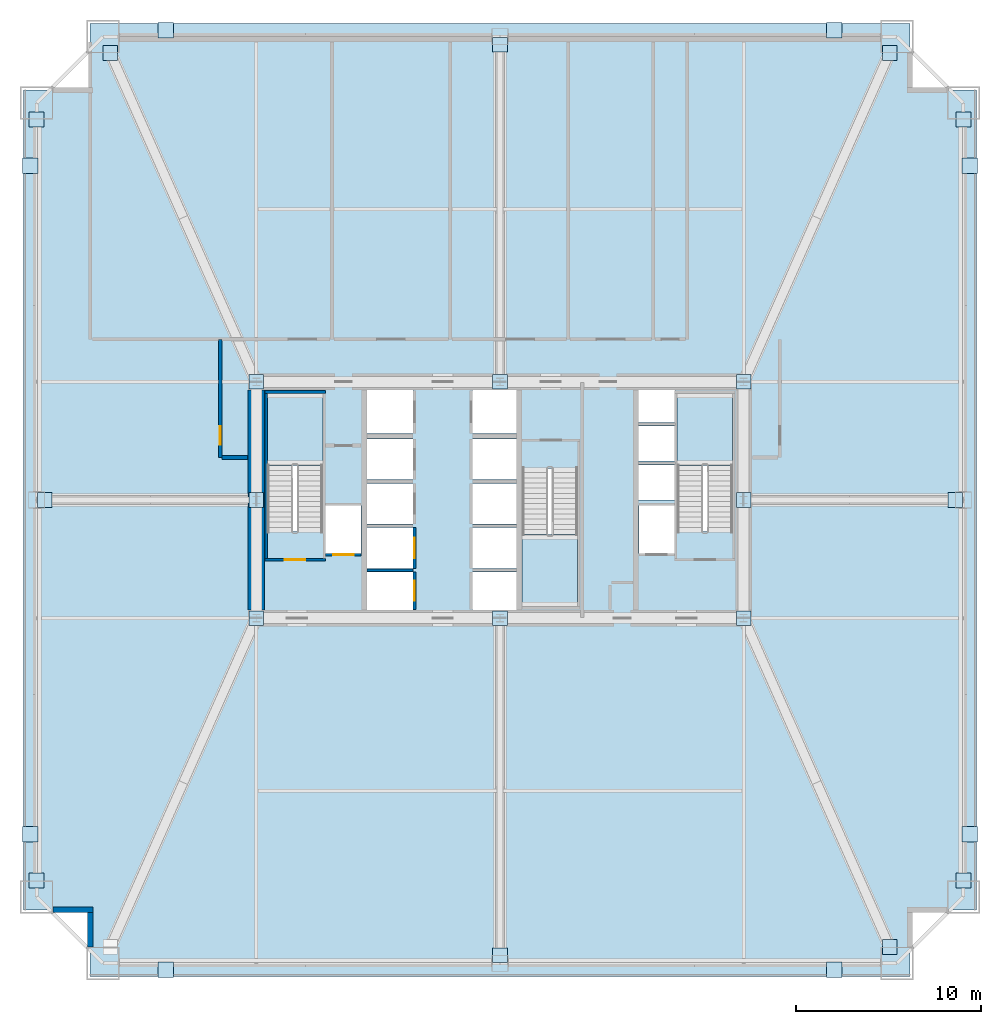
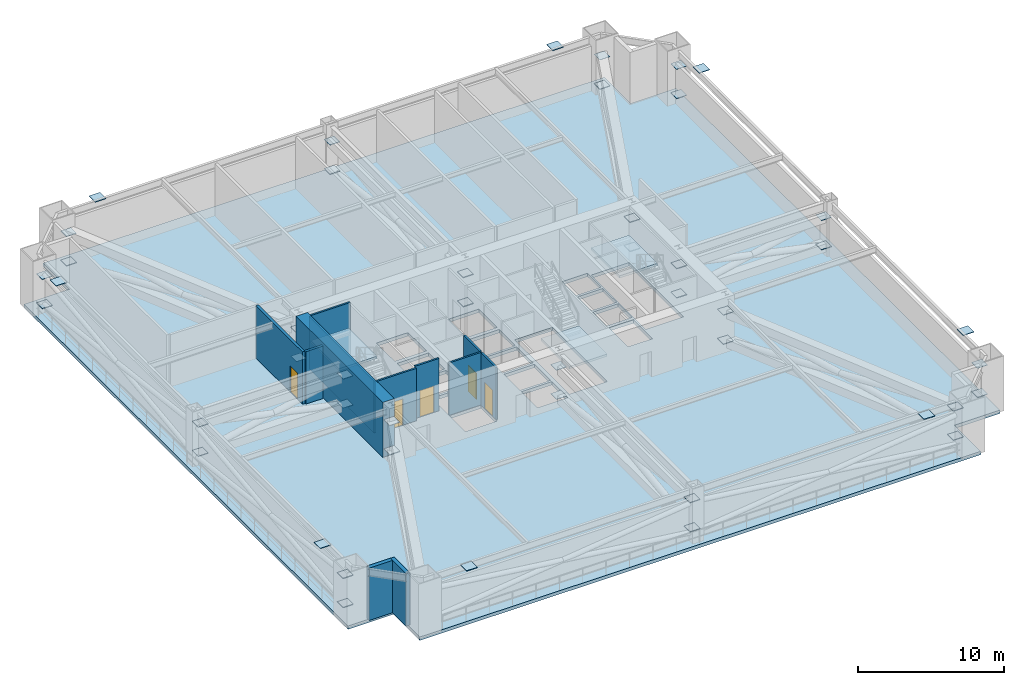
# One storey, part 4 of 11: 46 plates, 12 walls, 5 doors, 4 slabs, 5 openings, 3 elements without a shape of their own.
"""IFC4 building model written with IfcOpenShell, lengths in metres."""

from ifc_helpers import new_model, si_unit, direction, frame, frame_2d, origin, origin_2d, place, context, subcontext, project, spatial, polyline, rectangle, outline, extrude, source, transform, mapped, material, layer, layer_set, type_object, element, fill, aggregate, save


model = new_model("IFC4")

# Units and contexts
model_context = context("Model", 3, precision=1e-05, world=origin(), true_north=direction((0.0, 1.0)))
body_context = subcontext(model_context, "Body", "Model", "MODEL_VIEW")
ifc_project = project(units=[si_unit("LENGTHUNIT", "METRE"), si_unit("AREAUNIT", "SQUARE_METRE"), si_unit("VOLUMEUNIT", "CUBIC_METRE"), si_unit("PLANEANGLEUNIT", "RADIAN"), si_unit("MASSUNIT", "GRAM", prefix="KILO"), si_unit("THERMODYNAMICTEMPERATUREUNIT", "KELVIN"), si_unit("POWERUNIT", "WATT")], contexts=[model_context])

# Site, building, storey
site_placement = place(None, origin())
site = spatial("IfcSite", under=ifc_project, at=site_placement, CompositionType="ELEMENT")
building_placement = place(site_placement, origin())
building = spatial("IfcBuilding", under=site, at=building_placement, Name="Yuzanri Waterfront Tower", CompositionType="ELEMENT")
storey_placement = place(building_placement, frame((0.0, 0.0, 41.39990234375)))
storey = spatial("IfcBuildingStorey", under=building, at=storey_placement, Name="L10", CompositionType="ELEMENT", Elevation=41.39990234375)

# Stair, slab
ifc_material_1 = material(Name="Concrete C40", Category="concrete")
stair_type = type_object("IfcStairType", Name="Concrete C40 Core Dogleg Exit Stair", PredefinedType="HALF_TURN_STAIR", material=ifc_material_1)
stair_1_placement = place(storey_placement, origin())
stair_1 = element("IfcStair", 1, at=stair_1_placement, inside=storey, type_object=stair_type, Name="L10 Smoke-Proof Core Stair ST-01", PredefinedType="HALF_TURN_STAIR")
ifc_material_2 = material(Name="Concrete C40", Category="concrete")
ifc_layer_1 = layer(ifc_material_2, 0.179931640625)
ifc_layer_set_1 = layer_set([ifc_layer_1], Name="Concrete C40")
slab_type_1 = type_object("IfcSlabType", Name="Concrete C40 Stair Half-Landing Slab 180", PredefinedType="LANDING", material=ifc_layer_set_1)
slab_1_placement = place(storey_placement, frame((0.0, 0.0, 2.10009765625)))
slab_1 = element("IfcSlab", 2, at=slab_1_placement, type_object=slab_type_1, Name="ST-01 landing 1", PredefinedType="LANDING", context=body_context, shape_type="SweptSolid", body=[
    extrude(outline(polyline([(27.39990234375, 27.679931640625), (27.39990234375, 31.580078125), (24.39990234375, 31.580078125), (24.39990234375, 27.679931640625), (27.39990234375, 27.679931640625)])), origin(), (0.0, 0.0, 1.0), 0.199951171875),
])
aggregate(stair_1, [slab_1])

stair_2_placement = place(storey_placement, origin())
stair_2 = element("IfcStair", 3, at=stair_2_placement, inside=storey, type_object=stair_type, Name="L10 Smoke-Proof Core Stair ST-02", PredefinedType="HALF_TURN_STAIR")
slab_2_placement = place(storey_placement, frame((0.0, 0.0, 2.10009765625)))
slab_2 = element("IfcSlab", 4, at=slab_2_placement, type_object=slab_type_1, Name="ST-02 landing 1", PredefinedType="LANDING", context=body_context, shape_type="SweptSolid", body=[
    extrude(outline(polyline([(49.60009765625, 27.679931640625), (49.60009765625, 31.580078125), (46.60009765625, 31.580078125), (46.60009765625, 27.679931640625), (49.60009765625, 27.679931640625)])), origin(), (0.0, 0.0, 1.0), 0.199951171875),
])
aggregate(stair_2, [slab_2])

stair_3_placement = place(storey_placement, origin())
stair_3 = element("IfcStair", 5, at=stair_3_placement, inside=storey, type_object=stair_type, Name="L10 Smoke-Proof Core Stair ST-03", PredefinedType="HALF_TURN_STAIR")
slab_3_placement = place(storey_placement, frame((0.0, 0.0, 2.10009765625)))
slab_3 = element("IfcSlab", 6, at=slab_3_placement, type_object=slab_type_1, Name="ST-03 landing 1", PredefinedType="LANDING", context=body_context, shape_type="SweptSolid", body=[
    extrude(outline(polyline([(38.199951171875, 23.919921875), (38.199951171875, 20.02001953125), (41.199951171875, 20.02001953125), (41.199951171875, 23.919921875), (38.199951171875, 23.919921875)])), origin(), (0.0, 0.0, 1.0), 0.199951171875),
])
aggregate(stair_3, [slab_3])

# Slab
ifc_material_3 = material(Name="Concrete C45", Category="concrete")
ifc_layer_2 = layer(ifc_material_3, 0.280029296875)
ifc_layer_set_2 = layer_set([ifc_layer_2], Name="Concrete C45")
slab_type_2 = type_object("IfcSlabType", Name="Concrete C45 Podium and Refuge Structural Floor Slab 280", PredefinedType="FLOOR", material=ifc_layer_set_2)
slab_4_placement = place(storey_placement, frame((0.0, 0.0, -0.27978515625)))
element("IfcSlab", 7, at=slab_4_placement, inside=storey, type_object=slab_type_2, Name="L10 Main Structural Floor Slab", PredefinedType="FLOOR", context=body_context, shape_type="SweptSolid", body=[
    extrude(outline(polyline([(14.800048828125, 0.0), (59.199951171875, 0.0), (59.199951171875, 3.60009765625), (62.800048828125, 3.60009765625), (62.800048828125, 48.0), (59.199951171875, 48.0), (59.199951171875, 51.60009765625), (14.800048828125, 51.60009765625), (14.800048828125, 48.0), (11.199951171875, 48.0), (11.199951171875, 3.60009765625), (14.800048828125, 3.60009765625), (14.800048828125, 0.0)]), holes=[polyline([(27.39990234375, 24.10009765625), (27.39990234375, 31.580078125), (24.39990234375, 31.580078125), (24.39990234375, 24.10009765625), (27.39990234375, 24.10009765625)]), polyline([(49.60009765625, 24.10009765625), (49.60009765625, 31.580078125), (46.60009765625, 31.580078125), (46.60009765625, 24.10009765625), (49.60009765625, 24.10009765625)]), polyline([(38.199951171875, 27.5), (38.199951171875, 20.02001953125), (41.199951171875, 20.02001953125), (41.199951171875, 27.5), (38.199951171875, 27.5)]), polyline([(27.56005859375, 22.89990234375), (29.47998046875, 22.89990234375), (29.47998046875, 25.5), (27.56005859375, 25.5), (27.56005859375, 22.89990234375)]), polyline([(44.52001953125, 22.89990234375), (46.43994140625, 22.89990234375), (46.43994140625, 25.5), (44.52001953125, 25.5), (44.52001953125, 22.89990234375)]), polyline([(29.800048828125, 19.699951171875), (32.300048828125, 19.699951171875), (32.300048828125, 21.89990234375), (29.800048828125, 21.89990234375), (29.800048828125, 19.699951171875)]), polyline([(29.800048828125, 22.10009765625), (32.300048828125, 22.10009765625), (32.300048828125, 24.300048828125), (29.800048828125, 24.300048828125), (29.800048828125, 22.10009765625)]), polyline([(29.800048828125, 24.5), (32.300048828125, 24.5), (32.300048828125, 26.699951171875), (29.800048828125, 26.699951171875), (29.800048828125, 24.5)]), polyline([(29.800048828125, 26.89990234375), (32.300048828125, 26.89990234375), (32.300048828125, 29.10009765625), (29.800048828125, 29.10009765625), (29.800048828125, 26.89990234375)]), polyline([(29.800048828125, 29.39990234375), (32.300048828125, 29.39990234375), (32.300048828125, 31.89990234375), (29.800048828125, 31.89990234375), (29.800048828125, 29.39990234375)]), polyline([(35.5, 19.699951171875), (37.89990234375, 19.699951171875), (37.89990234375, 21.89990234375), (35.5, 21.89990234375), (35.5, 19.699951171875)]), polyline([(35.5, 22.10009765625), (37.89990234375, 22.10009765625), (37.89990234375, 24.300048828125), (35.5, 24.300048828125), (35.5, 22.10009765625)]), polyline([(35.5, 24.5), (37.89990234375, 24.5), (37.89990234375, 26.699951171875), (35.5, 26.699951171875), (35.5, 24.5)]), polyline([(35.5, 26.89990234375), (37.89990234375, 26.89990234375), (37.89990234375, 29.10009765625), (35.5, 29.10009765625), (35.5, 26.89990234375)]), polyline([(35.5, 29.39990234375), (37.89990234375, 29.39990234375), (37.89990234375, 31.89990234375), (35.5, 31.89990234375), (35.5, 29.39990234375)]), polyline([(44.5, 25.800048828125), (46.5, 25.800048828125), (46.5, 27.699951171875), (44.5, 27.699951171875), (44.5, 25.800048828125)]), polyline([(44.5, 27.89990234375), (46.5, 27.89990234375), (46.5, 29.800048828125), (44.5, 29.800048828125), (44.5, 27.89990234375)]), polyline([(44.5, 30.0), (46.5, 30.0), (46.5, 31.89990234375), (44.5, 31.89990234375), (44.5, 30.0)])]), origin(), (0.0, 0.0, 1.0), 0.27978515625),
])

# Plates
ifc_material_4 = material(Name="Steel Q420GJC", Category="steel")
ifc_layer_3 = layer(ifc_material_4, 0.0400390625)
ifc_layer_set_3 = layer_set([ifc_layer_3], Name="Steel Q420GJC")
plate_type_1 = type_object("IfcPlateType", Name="Steel Q420GJC Mega-Brace Gusset and End-Cap Plate 40", PredefinedType="SHEET", material=ifc_layer_set_3)
shared_shape_1 = source(origin(), body_context, "Body", "SweptSolid", [
    extrude(rectangle(XDim=0.85009765625, YDim=0.85009765625, at=origin_2d()), origin(), (0.0, 0.0, 1.0), 0.0400390625),
])
for number, where, z_axis, x_axis, name in (
    (8, (18.89990234375, 0.360107421875, 4.260009765625), (0.0, 0.0, 1.0), (1.0, 0.0, 0.0), "L10 Mega-Brace Apex Cap Plate S-L"),
    (9, (55.10009765625, 0.360107421875, 4.260009765625), (0.0, 0.0, 1.0), (1.0, 0.0, 0.0), "L10 Mega-Brace Apex Cap Plate S-R"),
    (10, (18.89990234375, 51.239990234375, 4.260009765625), (0.0, 0.0, 1.0), (1.0, 0.0, 0.0), "L10 Mega-Brace Apex Cap Plate N-L"),
    (11, (55.10009765625, 51.239990234375, 4.260009765625), (0.0, 0.0, 1.0), (1.0, 0.0, 0.0), "L10 Mega-Brace Apex Cap Plate N-R"),
    (12, (11.56005859375, 7.699951171875, 4.260009765625), (0.0, 0.0, 1.0), (1.0, 0.0, 0.0), "L10 Mega-Brace Apex Cap Plate W-L"),
    (13, (11.56005859375, 43.89990234375, 4.260009765625), (0.0, 0.0, 1.0), (1.0, 0.0, 0.0), "L10 Mega-Brace Apex Cap Plate W-R"),
    (14, (62.43994140625, 7.699951171875, 4.260009765625), (0.0, 0.0, 1.0), (1.0, 0.0, 0.0), "L10 Mega-Brace Apex Cap Plate E-L"),
    (15, (62.43994140625, 43.89990234375, 4.260009765625), (0.0, 0.0, 1.0), (1.0, 0.0, 0.0), "L10 Mega-Brace Apex Cap Plate E-R"),
):
    element("IfcPlate", number, at=place(storey_placement, frame(where, z_axis=z_axis, x_axis=x_axis)), inside=storey, type_object=plate_type_1, Name=name, PredefinedType="SHEET", context=body_context, shape_type="MappedRepresentation", body=[
        mapped(shared_shape_1, transform((0.0, 0.0, 0.0), scale=1.0)),
    ])
ifc_material_5 = material(Name="Steel Q420GJC", Category="steel")
ifc_layer_4 = layer(ifc_material_5, 0.031982421875)
ifc_layer_set_4 = layer_set([ifc_layer_4], Name="Steel Q420GJC")
plate_type_2 = type_object("IfcPlateType", Name="Steel Q420GJC Outrigger-to-Core Embedment Cap Plate 32", PredefinedType="SHEET", material=ifc_layer_set_4)
shared_shape_2 = source(origin(), body_context, "Body", "SweptSolid", [
    extrude(rectangle(XDim=0.800048828125, YDim=0.800048828125, at=origin_2d()), origin(), (0.0, 0.0, 1.0), 0.031982421875),
])
for number, where, z_axis, x_axis, name in (
    (16, (37.0, 19.39990234375, 0.7041015625), (0.0, 0.0, 1.0), (1.0, 0.0, 0.0), "L10 Outrigger Core Lower Cap S2"),
    (17, (37.0, 19.39990234375, 3.14404296875), (0.0, 0.0, 1.0), (1.0, 0.0, 0.0), "L10 Outrigger Core Upper Cap S2"),
    (18, (37.0, 32.199951171875, 0.7041015625), (0.0, 0.0, 1.0), (1.0, 0.0, 0.0), "L10 Outrigger Core Lower Cap N2"),
    (19, (37.0, 32.199951171875, 3.14404296875), (0.0, 0.0, 1.0), (1.0, 0.0, 0.0), "L10 Outrigger Core Upper Cap N2"),
    (20, (23.800048828125, 25.800048828125, 0.7041015625), (0.0, 0.0, 1.0), (1.0, 0.0, 0.0), "L10 Outrigger Core Lower Cap W2"),
    (21, (23.800048828125, 25.800048828125, 3.14404296875), (0.0, 0.0, 1.0), (1.0, 0.0, 0.0), "L10 Outrigger Core Upper Cap W2"),
    (22, (50.199951171875, 25.800048828125, 0.7041015625), (0.0, 0.0, 1.0), (1.0, 0.0, 0.0), "L10 Outrigger Core Lower Cap E2"),
    (23, (50.199951171875, 25.800048828125, 3.14404296875), (0.0, 0.0, 1.0), (1.0, 0.0, 0.0), "L10 Outrigger Core Upper Cap E2"),
    (24, (23.800048828125, 19.39990234375, 0.7041015625), (0.0, 0.0, 1.0), (1.0, 0.0, 0.0), "L10 Outrigger Core Lower Cap S1"),
    (25, (23.800048828125, 19.39990234375, 3.14404296875), (0.0, 0.0, 1.0), (1.0, 0.0, 0.0), "L10 Outrigger Core Upper Cap S1"),
    (26, (50.199951171875, 19.39990234375, 0.7041015625), (0.0, 0.0, 1.0), (1.0, 0.0, 0.0), "L10 Outrigger Core Lower Cap S3"),
    (27, (50.199951171875, 19.39990234375, 3.14404296875), (0.0, 0.0, 1.0), (1.0, 0.0, 0.0), "L10 Outrigger Core Upper Cap S3"),
    (28, (23.800048828125, 32.199951171875, 0.7041015625), (0.0, 0.0, 1.0), (1.0, 0.0, 0.0), "L10 Outrigger Core Lower Cap N1"),
    (29, (23.800048828125, 32.199951171875, 3.14404296875), (0.0, 0.0, 1.0), (1.0, 0.0, 0.0), "L10 Outrigger Core Upper Cap N1"),
    (30, (50.199951171875, 32.199951171875, 0.7041015625), (0.0, 0.0, 1.0), (1.0, 0.0, 0.0), "L10 Outrigger Core Lower Cap N3"),
    (31, (50.199951171875, 32.199951171875, 3.14404296875), (0.0, 0.0, 1.0), (1.0, 0.0, 0.0), "L10 Outrigger Core Upper Cap N3"),
    (32, (62.10009765625, 5.18505859375, 0.7041015625), (0.0, 0.0, 1.0), (1.0, 0.0, 0.0), "L10 Perimeter Truss Node Lower Cap E1"),
    (33, (62.10009765625, 5.18505859375, 3.14404296875), (0.0, 0.0, 1.0), (1.0, 0.0, 0.0), "L10 Perimeter Truss Node Upper Cap E1"),
    (34, (61.6650390625, 25.800048828125, 0.7041015625), (0.0, 0.0, 1.0), (1.0, 0.0, 0.0), "L10 Perimeter Truss Node Lower Cap E2"),
    (35, (61.6650390625, 25.800048828125, 3.14404296875), (0.0, 0.0, 1.0), (1.0, 0.0, 0.0), "L10 Perimeter Truss Node Upper Cap E2"),
    (36, (62.10009765625, 46.4150390625, 0.7041015625), (0.0, 0.0, 1.0), (1.0, 0.0, 0.0), "L10 Perimeter Truss Node Lower Cap E3"),
    (37, (62.10009765625, 46.4150390625, 3.14404296875), (0.0, 0.0, 1.0), (1.0, 0.0, 0.0), "L10 Perimeter Truss Node Upper Cap E3"),
    (38, (15.892822265625, 50.014892578125, 0.7041015625), (0.0, 0.0, 1.0), (1.0, 0.0, 0.0), "L10 Perimeter Truss Node Lower Cap N1"),
    (39, (15.892822265625, 50.014892578125, 3.14404296875), (0.0, 0.0, 1.0), (1.0, 0.0, 0.0), "L10 Perimeter Truss Node Upper Cap N1"),
    (40, (37.0, 50.465087890625, 0.7041015625), (0.0, 0.0, 1.0), (1.0, 0.0, 0.0), "L10 Perimeter Truss Node Lower Cap N2"),
    (41, (37.0, 50.465087890625, 3.14404296875), (0.0, 0.0, 1.0), (1.0, 0.0, 0.0), "L10 Perimeter Truss Node Upper Cap N2"),
    (42, (58.107177734375, 50.014892578125, 0.7041015625), (0.0, 0.0, 1.0), (1.0, 0.0, 0.0), "L10 Perimeter Truss Node Lower Cap N3"),
    (43, (58.107177734375, 50.014892578125, 3.14404296875), (0.0, 0.0, 1.0), (1.0, 0.0, 0.0), "L10 Perimeter Truss Node Upper Cap N3"),
    (44, (37.0, 1.135009765625, 0.7041015625), (0.0, 0.0, 1.0), (1.0, 0.0, 0.0), "L10 Perimeter Truss Node Lower Cap S2"),
    (45, (37.0, 1.135009765625, 3.14404296875), (0.0, 0.0, 1.0), (1.0, 0.0, 0.0), "L10 Perimeter Truss Node Upper Cap S2"),
    (46, (58.107177734375, 1.5849609375, 0.7041015625), (0.0, 0.0, 1.0), (1.0, 0.0, 0.0), "L10 Perimeter Truss Node Lower Cap S3"),
    (47, (58.107177734375, 1.5849609375, 3.14404296875), (0.0, 0.0, 1.0), (1.0, 0.0, 0.0), "L10 Perimeter Truss Node Upper Cap S3"),
    (48, (11.89990234375, 5.18505859375, 0.7041015625), (0.0, 0.0, 1.0), (1.0, 0.0, 0.0), "L10 Perimeter Truss Node Lower Cap W1"),
    (49, (11.89990234375, 5.18505859375, 3.14404296875), (0.0, 0.0, 1.0), (1.0, 0.0, 0.0), "L10 Perimeter Truss Node Upper Cap W1"),
    (50, (12.3349609375, 25.800048828125, 0.7041015625), (0.0, 0.0, 1.0), (1.0, 0.0, 0.0), "L10 Perimeter Truss Node Lower Cap W2"),
    (51, (12.3349609375, 25.800048828125, 3.14404296875), (0.0, 0.0, 1.0), (1.0, 0.0, 0.0), "L10 Perimeter Truss Node Upper Cap W2"),
    (52, (11.89990234375, 46.4150390625, 0.7041015625), (0.0, 0.0, 1.0), (1.0, 0.0, 0.0), "L10 Perimeter Truss Node Lower Cap W3"),
    (53, (11.89990234375, 46.4150390625, 3.14404296875), (0.0, 0.0, 1.0), (1.0, 0.0, 0.0), "L10 Perimeter Truss Node Upper Cap W3"),
):
    element("IfcPlate", number, at=place(storey_placement, frame(where, z_axis=z_axis, x_axis=x_axis)), inside=storey, type_object=plate_type_2, Name=name, PredefinedType="SHEET", context=body_context, shape_type="MappedRepresentation", body=[
        mapped(shared_shape_2, transform((0.0, 0.0, 0.0), scale=1.0)),
    ])

# Wall, opening, door
ifc_material_6 = material(Name="Concrete C40", Category="concrete")
ifc_layer_5 = layer(ifc_material_6, 0.139892578125)
ifc_layer_set_5 = layer_set([ifc_layer_5], Name="Concrete C40")
wall_type_1 = type_object("IfcWallType", Name="Core Stair Liner and Hoistway Shaft Wall 140", PredefinedType="SOLIDWALL", material=ifc_layer_set_5)
wall_1_placement = place(storey_placement, frame((27.56005859375, 22.830078125, 0.0), z_axis=(0.0, 0.0, 1.0), x_axis=(1.0, 0.0, 0.0)))
wall_1 = element("IfcWall", 54, at=wall_1_placement, inside=storey, type_object=wall_type_1, Name="L10 Lift FL-01 Front Shaft Wall", PredefinedType="SOLIDWALL", context=body_context, shape_type="SweptSolid", body=[
    extrude(rectangle(XDim=1.919921875, YDim=0.139892578125, at=frame_2d((0.9599609375, 0.0))), origin(), (0.0, 0.0, 1.0), 4.380126953125),
])
opening_1_placement = place(wall_1_placement, frame((0.409912109375, 0.0, 0.0)))
opening_1 = element("IfcOpeningElement", 55, at=opening_1_placement, cuts=wall_1, Name="Opening LD-FL-01", PredefinedType="OPENING", context=body_context, shape_type="SweptSolid", body=[
    extrude(rectangle(XDim=1.10009765625, YDim=2.199951171875, at=frame_2d((0.550048828125, 1.10009765625))), frame((0.0, 0.0849609375, 0.0), z_axis=(0.0, -1.0, 0.0), x_axis=(1.0, 0.0, 0.0)), (0.0, 0.0, 1.0), 0.169677734375),
])
ifc_material_7 = material(Name="Brushed Bronze and Stainless Steel Cab", Category="steel")
door_type_1 = type_object("IfcDoorType", Name="Center-Parting Bronze Lift Landing Sliding Door 1100x2200", OperationType="NOTDEFINED", PredefinedType="DOOR", material=ifc_material_7)
shared_shape_3 = source(origin(), body_context, "Body", "SweptSolid", [
    extrude(rectangle(XDim=1.10009765625, YDim=2.199951171875, at=frame_2d((0.550048828125, 1.10009765625))), frame((0.0, 0.02490234375, 0.0), z_axis=(0.0, -1.0, 0.0), x_axis=(1.0, 0.0, 0.0)), (0.0, 0.0, 1.0), 0.050048828125),
])
door_1_placement = place(opening_1_placement, origin())
door_1 = element("IfcDoor", 56, at=door_1_placement, inside=storey, type_object=door_type_1, Name="L10 FL-01 Lift Landing Sliding Door", OperationType="SLIDING_TO_LEFT", OverallHeight=2.199951171875, OverallWidth=1.10009765625, PredefinedType="DOOR", context=body_context, shape_type="MappedRepresentation", body=[
    mapped(shared_shape_3, transform((0.0, 0.0, 0.0), scale=1.0)),
])
fill(opening_1, door_1)

wall_2_placement = place(storey_placement, frame((32.3701171875, 19.860107421875, 0.0), z_axis=(0.0, 0.0, 1.0), x_axis=(0.0, 1.0, 0.0)))
wall_2 = element("IfcWall", 57, at=wall_2_placement, inside=storey, type_object=wall_type_1, Name="L10 Lift PL-01 Front Shaft Wall", PredefinedType="SOLIDWALL", context=body_context, shape_type="SweptSolid", body=[
    extrude(rectangle(XDim=2.039794921875, YDim=0.139892578125, at=frame_2d((1.02001953125, 0.0))), origin(), (0.0, 0.0, 1.0), 4.380126953125),
])
opening_2_placement = place(wall_2_placement, frame((0.469970703125, 0.0, 0.0)))
opening_2 = element("IfcOpeningElement", 58, at=opening_2_placement, cuts=wall_2, Name="Opening LD-PL-01", PredefinedType="OPENING", context=body_context, shape_type="SweptSolid", body=[
    extrude(rectangle(XDim=1.10009765625, YDim=2.199951171875, at=frame_2d((0.550048828125, 1.10009765625))), frame((0.0, 0.0849609375, 0.0), z_axis=(0.0, -1.0, 0.0), x_axis=(1.0, 0.0, 0.0)), (0.0, 0.0, 1.0), 0.169677734375),
])
door_2_placement = place(opening_2_placement, origin())
door_2 = element("IfcDoor", 59, at=door_2_placement, inside=storey, type_object=door_type_1, Name="L10 PL-01 Lift Landing Sliding Door", OperationType="SLIDING_TO_LEFT", OverallHeight=2.199951171875, OverallWidth=1.10009765625, PredefinedType="DOOR", context=body_context, shape_type="MappedRepresentation", body=[
    mapped(shared_shape_3, transform((0.0, 0.0, 0.0), scale=1.0)),
])
fill(opening_2, door_2)

wall_3_placement = place(storey_placement, frame((32.3701171875, 22.10009765625, 0.0), z_axis=(0.0, 0.0, 1.0), x_axis=(0.0, 1.0, 0.0)))
wall_3 = element("IfcWall", 60, at=wall_3_placement, inside=storey, type_object=wall_type_1, Name="L10 Lift PL-02 Front Shaft Wall", PredefinedType="SOLIDWALL", context=body_context, shape_type="SweptSolid", body=[
    extrude(rectangle(XDim=2.199951171875, YDim=0.139892578125, at=frame_2d((1.10009765625, 0.0))), origin(), (0.0, 0.0, 1.0), 4.380126953125),
])
opening_3_placement = place(wall_3_placement, frame((0.550048828125, 0.0, 0.0)))
opening_3 = element("IfcOpeningElement", 61, at=opening_3_placement, cuts=wall_3, Name="Opening LD-PL-02", PredefinedType="OPENING", context=body_context, shape_type="SweptSolid", body=[
    extrude(rectangle(XDim=1.10009765625, YDim=2.199951171875, at=frame_2d((0.550048828125, 1.10009765625))), frame((0.0, 0.0849609375, 0.0), z_axis=(0.0, -1.0, 0.0), x_axis=(1.0, 0.0, 0.0)), (0.0, 0.0, 1.0), 0.169677734375),
])
door_3_placement = place(opening_3_placement, origin())
door_3 = element("IfcDoor", 62, at=door_3_placement, inside=storey, type_object=door_type_1, Name="L10 PL-02 Lift Landing Sliding Door", OperationType="SLIDING_TO_RIGHT", OverallHeight=2.199951171875, OverallWidth=1.10009765625, PredefinedType="DOOR", context=body_context, shape_type="MappedRepresentation", body=[
    mapped(shared_shape_3, transform((0.0, 0.0, 0.0), scale=1.0)),
])
fill(opening_3, door_3)

wall_4_placement = place(storey_placement, frame((24.260009765625, 22.570068359375, 0.0), z_axis=(0.0, 0.0, 1.0), x_axis=(1.0, 0.0, 0.0)))
wall_4 = element("IfcWall", 63, at=wall_4_placement, inside=storey, type_object=wall_type_1, Name="L10 Shaft Wall STW-L10-ST-01-S", PredefinedType="SOLIDWALL", context=body_context, shape_type="SweptSolid", body=[
    extrude(rectangle(XDim=3.280029296875, YDim=0.139892578125, at=frame_2d((1.64013671875, 0.0))), origin(), (0.0, 0.0, 1.0), 4.380126953125),
])
opening_4_placement = place(wall_4_placement, frame((1.090087890625, 0.0, 0.0)))
opening_4 = element("IfcOpeningElement", 64, at=opening_4_placement, cuts=wall_4, Name="Opening FD-1100", PredefinedType="OPENING", context=body_context, shape_type="SweptSolid", body=[
    extrude(rectangle(XDim=1.10009765625, YDim=2.199951171875, at=frame_2d((0.550048828125, 1.10009765625))), frame((0.0, 0.0849609375, 0.0), z_axis=(0.0, -1.0, 0.0), x_axis=(1.0, 0.0, 0.0)), (0.0, 0.0, 1.0), 0.169677734375),
])
ifc_material_8 = material(Name="Painted Galvanized Fire Steel", Category="steel")
door_type_2 = type_object("IfcDoorType", Name="Smoke-Proof Stair and Lobby Fire Door 1100x2200", OperationType="NOTDEFINED", PredefinedType="DOOR", material=ifc_material_8)
shared_shape_4 = source(origin(), body_context, "Body", "SweptSolid", [
    extrude(rectangle(XDim=1.10009765625, YDim=2.199951171875, at=frame_2d((0.550048828125, 1.10009765625))), frame((0.0, 0.02490234375, 0.0), z_axis=(0.0, -1.0, 0.0), x_axis=(1.0, 0.0, 0.0)), (0.0, 0.0, 1.0), 0.050048828125),
])
door_4_placement = place(opening_4_placement, origin())
door_4 = element("IfcDoor", 65, at=door_4_placement, inside=storey, type_object=door_type_2, Name="L10 Stair ST-01 Fire Door", OperationType="SINGLE_SWING_RIGHT", OverallHeight=2.199951171875, OverallWidth=1.10009765625, PredefinedType="DOOR", context=body_context, shape_type="MappedRepresentation", body=[
    mapped(shared_shape_4, transform((0.0, 0.0, 0.0), scale=1.0)),
])
fill(opening_4, door_4)

ifc_material_9 = material(Name="Autoclaved Aerated Concrete Blockwork", Category="masonry")
ifc_layer_6 = layer(ifc_material_9, 0.199951171875)
ifc_layer_set_6 = layer_set([ifc_layer_6], Name="Autoclaved Aerated Concrete Blockwork")
wall_type_2 = type_object("IfcWallType", Name="Corridor and Unit Party Fire Wall 200", PredefinedType="PARTITIONING", material=ifc_layer_set_6)
wall_5_placement = place(storey_placement, frame((21.85009765625, 28.10009765625, 0.0), z_axis=(0.0, 0.0, 1.0), x_axis=(0.0, 1.0, 0.0)))
wall_5 = element("IfcWall", 66, at=wall_5_placement, inside=storey, type_object=wall_type_2, Name="L10 Partition RFW-L10-CW", PredefinedType="PARTITIONING", context=body_context, shape_type="SweptSolid", body=[
    extrude(rectangle(XDim=6.39990234375, YDim=0.199951171875, at=frame_2d((3.199951171875, 0.0))), origin(), (0.0, 0.0, 1.0), 4.380126953125),
])
opening_5_placement = place(wall_5_placement, frame((0.699951171875, 0.0, 0.0)))
opening_5 = element("IfcOpeningElement", 67, at=opening_5_placement, cuts=wall_5, Name="Opening TD-1000", PredefinedType="OPENING", context=body_context, shape_type="SweptSolid", body=[
    extrude(rectangle(XDim=1.0, YDim=2.199951171875, at=frame_2d((0.5, 1.10009765625))), frame((0.0, 0.11474609375, 0.0), z_axis=(0.0, -1.0, 0.0), x_axis=(1.0, 0.0, 0.0)), (0.0, 0.0, 1.0), 0.229736328125),
])
ifc_material_10 = material(Name="Anodized Architectural Bronze", Category="metal")
door_type_3 = type_object("IfcDoorType", Name="Anodized Bronze Refuge Deck Weatherproof Exit Door 1000x2200", OperationType="NOTDEFINED", PredefinedType="DOOR", material=ifc_material_10)
shared_shape_5 = source(origin(), body_context, "Body", "SweptSolid", [
    extrude(rectangle(XDim=1.0, YDim=2.199951171875, at=frame_2d((0.5, 1.10009765625))), frame((0.0, 0.02490234375, 0.0), z_axis=(0.0, -1.0, 0.0), x_axis=(1.0, 0.0, 0.0)), (0.0, 0.0, 1.0), 0.050048828125),
])
door_5_placement = place(opening_5_placement, origin())
door_5 = element("IfcDoor", 68, at=door_5_placement, inside=storey, type_object=door_type_3, Name="L10 West Refuge Deck Exit Door", OperationType="SINGLE_SWING_RIGHT", OverallHeight=2.199951171875, OverallWidth=1.0, PredefinedType="DOOR", context=body_context, shape_type="MappedRepresentation", body=[
    mapped(shared_shape_5, transform((0.0, 0.0, 0.0), scale=1.0)),
])
fill(opening_5, door_5)

# Walls
ifc_material_11 = material(Name="Concrete C60", Category="concrete")
ifc_layer_7 = layer(ifc_material_11, 0.89990234375)
ifc_layer_set_7 = layer_set([ifc_layer_7], Name="Concrete C60")
wall_type_3 = type_object("IfcWallType", Name="Concrete C60 Lower Zone Core Shear Wall 900", PredefinedType="SHEAR", material=ifc_layer_set_7)
shared_shape_6 = source(origin(), body_context, "Body", "SweptSolid", [
    extrude(rectangle(XDim=11.89990234375, YDim=0.89990234375, at=frame_2d((5.949951171875, 0.0))), origin(), (0.0, 0.0, 1.0), 4.60009765625),
])
wall_6_placement = place(storey_placement, frame((23.800048828125, 19.85009765625, 0.0), z_axis=(0.0, 0.0, 1.0), x_axis=(0.0, 1.0, 0.0)))
element("IfcWall", 69, at=wall_6_placement, inside=storey, type_object=wall_type_3, Name="L10 Core West Shear Wall", PredefinedType="SHEAR", context=body_context, shape_type="MappedRepresentation", body=[
    mapped(shared_shape_6, transform((0.0, 0.0, 0.0), scale=1.0)),
])
ifc_material_12 = material(Name="Honed Chongqing Dark Basalt Stone", Category="masonry")
ifc_layer_8 = layer(ifc_material_12, 0.300048828125)
ifc_layer_set_8 = layer_set([ifc_layer_8], Name="Honed Chongqing Dark Basalt Stone")
wall_type_4 = type_object("IfcWallType", Name="Bronze Rainscreen Insulated Spandrel Portal Wall 300", PredefinedType="SOLIDWALL", material=ifc_layer_set_8)
shared_shape_7 = source(origin(), body_context, "Body", "SweptSolid", [
    extrude(rectangle(XDim=2.14990234375, YDim=0.300048828125, at=frame_2d((1.074951171875, 0.0))), origin(), (0.0, 0.0, 1.0), 4.380126953125),
])
for number, where, z_axis, x_axis, name in (
    (70, (12.800048828125, 3.60009765625, 0.0), (0.0, 0.0, 1.0), (1.0, 0.0, 0.0), "L10 Notched Corner Masonry Wall SW-X"),
    (71, (14.800048828125, 3.75, 0.0), (0.0, 0.0, 1.0), (0.0, -1.0, 0.0), "L10 Notched Corner Masonry Wall SW-Y"),
):
    element("IfcWall", number, at=place(storey_placement, frame(where, z_axis=z_axis, x_axis=x_axis)), inside=storey, type_object=wall_type_4, Name=name, PredefinedType="SOLIDWALL", context=body_context, shape_type="MappedRepresentation", body=[
        mapped(shared_shape_7, transform((0.0, 0.0, 0.0), scale=1.0)),
    ])
shared_shape_8 = source(origin(), body_context, "Body", "SweptSolid", [
    extrude(rectangle(XDim=2.5, YDim=0.139892578125, at=frame_2d((1.25, 0.0))), origin(), (0.0, 0.0, 1.0), 4.380126953125),
])
wall_7_placement = place(storey_placement, frame((29.800048828125, 22.0, 0.0), z_axis=(0.0, 0.0, 1.0), x_axis=(1.0, 0.0, 0.0)))
element("IfcWall", 72, at=wall_7_placement, inside=storey, type_object=wall_type_1, Name="L10 Lift PL-01 Divider Wall", PredefinedType="SOLIDWALL", context=body_context, shape_type="MappedRepresentation", body=[
    mapped(shared_shape_8, transform((0.0, 0.0, 0.0), scale=1.0)),
])
shared_shape_9 = source(origin(), body_context, "Body", "SweptSolid", [
    extrude(rectangle(XDim=3.280029296875, YDim=0.139892578125, at=frame_2d((1.64013671875, 0.0))), origin(), (0.0, 0.0, 1.0), 4.380126953125),
])
wall_8_placement = place(storey_placement, frame((24.260009765625, 31.64990234375, 0.0), z_axis=(0.0, 0.0, 1.0), x_axis=(1.0, 0.0, 0.0)))
element("IfcWall", 73, at=wall_8_placement, inside=storey, type_object=wall_type_1, Name="L10 Stair ST-01 North Shaft Wall", PredefinedType="SOLIDWALL", context=body_context, shape_type="MappedRepresentation", body=[
    mapped(shared_shape_9, transform((0.0, 0.0, 0.0), scale=1.0)),
])
shared_shape_10 = source(origin(), body_context, "Body", "SweptSolid", [
    extrude(rectangle(XDim=8.940185546875, YDim=0.139892578125, at=frame_2d((4.47021484375, 0.0))), origin(), (0.0, 0.0, 1.0), 4.380126953125),
])
wall_9_placement = place(storey_placement, frame((24.330078125, 22.639892578125, 0.0), z_axis=(0.0, 0.0, 1.0), x_axis=(0.0, 1.0, 0.0)))
element("IfcWall", 74, at=wall_9_placement, inside=storey, type_object=wall_type_1, Name="L10 Stair ST-01 West Shaft Wall", PredefinedType="SOLIDWALL", context=body_context, shape_type="MappedRepresentation", body=[
    mapped(shared_shape_10, transform((0.0, 0.0, 0.0), scale=1.0)),
])
shared_shape_11 = source(origin(), body_context, "Body", "SweptSolid", [
    extrude(rectangle(XDim=1.380126953125, YDim=0.199951171875, at=frame_2d((0.68994140625, 0.0))), origin(), (0.0, 0.0, 1.0), 4.380126953125),
])
wall_10_placement = place(storey_placement, frame((21.949951171875, 28.10009765625, 0.0), z_axis=(0.0, 0.0, 1.0), x_axis=(1.0, 0.0, 0.0)))
element("IfcWall", 75, at=wall_10_placement, inside=storey, type_object=wall_type_2, Name="L10 West Refuge Vestibule South Wall", PredefinedType="PARTITIONING", context=body_context, shape_type="MappedRepresentation", body=[
    mapped(shared_shape_11, transform((0.0, 0.0, 0.0), scale=1.0)),
])

save(model, "model.ifc")
